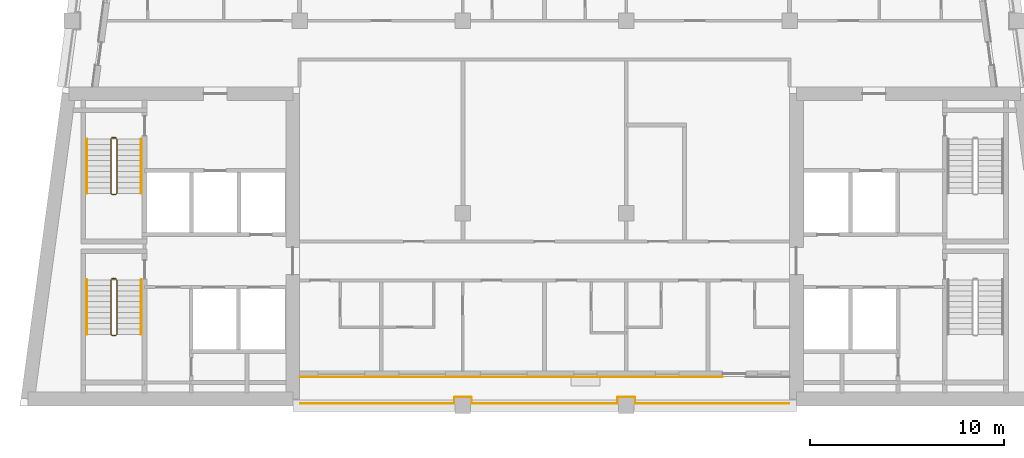
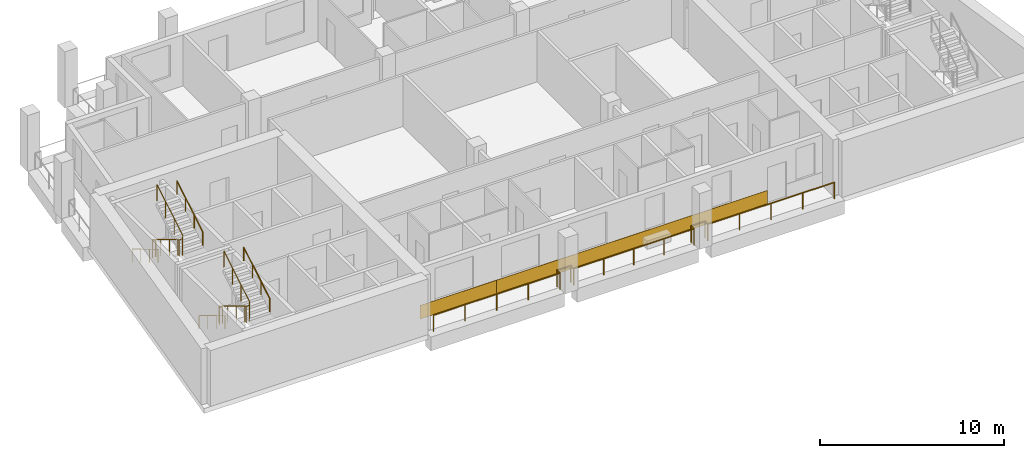
# One storey, part 7 of 10: 9 railings, 2 coverings.
"""IFC4 building model written with IfcOpenShell, lengths in metres."""

from ifc_helpers import new_model, si_unit, direction, frame, origin, origin_2d, place, context, subcontext, project, spatial, rectangle, circle, extrude, material, layer, layer_set, type_object, element, save


model = new_model("IFC4")

# Units and contexts
model_context = context("Model", 3, precision=1e-05, world=origin(), true_north=direction((0.0, 1.0)))
body_context = subcontext(model_context, "Body", "Model", "MODEL_VIEW")
ifc_project = project(units=[si_unit("LENGTHUNIT", "METRE"), si_unit("AREAUNIT", "SQUARE_METRE"), si_unit("VOLUMEUNIT", "CUBIC_METRE"), si_unit("PLANEANGLEUNIT", "RADIAN"), si_unit("MASSUNIT", "GRAM", prefix="KILO")], contexts=[model_context])

# Site, building, storey
site_placement = place(None, origin())
site = spatial("IfcSite", under=ifc_project, at=site_placement, CompositionType="ELEMENT")
building_placement = place(site_placement, origin())
building = spatial("IfcBuilding", under=site, at=building_placement, Name="Candeia Pilgrim Tower and Theatre", CompositionType="ELEMENT")
storey_placement = place(building_placement, frame((0.0, 0.0, 284.89990234375)))
storey = spatial("IfcBuildingStorey", under=building, at=storey_placement, Name="L69", CompositionType="ELEMENT", Elevation=284.89990234375)

# Railing
ifc_material_1 = material(Name="Stainless steel balustrade", Category="steel")
railing_type_1 = type_object("IfcRailingType", Name="G1 loggia guard 1100", PredefinedType="GUARDRAIL", material=ifc_material_1)
railing_1_placement = place(storey_placement, frame((125.949951171875, 116.1201171875, 0.0)))
element("IfcRailing", 1, at=railing_1_placement, inside=storey, type_object=railing_type_1, Name="Guard L69.3", PredefinedType="GUARDRAIL", context=body_context, shape_type="SweptSolid", body=[
    extrude(circle(Radius=0.02392578125, at=origin_2d()), frame((0.0, 0.0, 1.076171875), z_axis=(-1.0, 0.0, 0.0), x_axis=(0.0, -1.0, 0.0)), (0.0, 0.0, 1.0), 7.919921875),
    extrude(circle(Radius=0.02392578125, at=origin_2d()), frame((-7.919921875, 0.0, 1.076171875), z_axis=(0.0, 1.0, 0.0), x_axis=(-1.0, 0.0, 0.0)), (0.0, 0.0, 1.0), 0.309814453125),
    extrude(circle(Radius=0.02392578125, at=origin_2d()), frame((-7.919921875, 0.309814453125, 1.076171875), z_axis=(-1.0, 0.0, 0.0), x_axis=(0.0, -1.0, 0.0)), (0.0, 0.0, 1.0), 0.860107421875),
    extrude(circle(Radius=0.02392578125, at=origin_2d()), frame((-8.780029296875, 0.309814453125, 1.076171875), z_axis=(0.0, -1.0, 0.0), x_axis=(1.0, 0.0, 0.0)), (0.0, 0.0, 1.0), 0.309814453125),
    extrude(circle(Radius=0.02392578125, at=origin_2d()), frame((-8.780029296875, 0.0, 1.076171875), z_axis=(-1.0, 0.0, 0.0), x_axis=(0.0, -1.0, 0.0)), (0.0, 0.0, 1.0), 7.5400390625),
    extrude(circle(Radius=0.02392578125, at=origin_2d()), frame((-16.320068359375, 0.0, 1.076171875), z_axis=(0.0, 1.0, 0.0), x_axis=(-1.0, 0.0, 0.0)), (0.0, 0.0, 1.0), 0.309814453125),
    extrude(circle(Radius=0.02392578125, at=origin_2d()), frame((-16.320068359375, 0.309814453125, 1.076171875), z_axis=(-1.0, 0.0, 0.0), x_axis=(0.0, -1.0, 0.0)), (0.0, 0.0, 1.0), 0.85986328125),
    extrude(circle(Radius=0.02392578125, at=origin_2d()), frame((-17.179931640625, 0.309814453125, 1.076171875), z_axis=(0.0, -1.0, 0.0), x_axis=(1.0, 0.0, 0.0)), (0.0, 0.0, 1.0), 0.309814453125),
    extrude(circle(Radius=0.02392578125, at=origin_2d()), frame((-17.179931640625, 0.0, 1.076171875), z_axis=(-1.0, 0.0, 0.0), x_axis=(0.0, -1.0, 0.0)), (0.0, 0.0, 1.0), 7.919921875),
    extrude(circle(Radius=0.02099609375, at=origin_2d()), origin(), (0.0, 0.0, 1.0), 1.052001953125),
    extrude(circle(Radius=0.02099609375, at=origin_2d()), frame((-1.97998046875, 0.0, 0.0)), (0.0, 0.0, 1.0), 1.052001953125),
    extrude(circle(Radius=0.02099609375, at=origin_2d()), frame((-3.9599609375, 0.0, 0.0)), (0.0, 0.0, 1.0), 1.052001953125),
    extrude(circle(Radius=0.02099609375, at=origin_2d()), frame((-5.93994140625, 0.0, 0.0)), (0.0, 0.0, 1.0), 1.052001953125),
    extrude(circle(Radius=0.02099609375, at=origin_2d()), frame((-7.919921875, 0.0, 0.0)), (0.0, 0.0, 1.0), 1.052001953125),
    extrude(circle(Radius=0.02099609375, at=origin_2d()), frame((-7.919921875, 0.309814453125, 0.0)), (0.0, 0.0, 1.0), 1.052001953125),
    extrude(circle(Radius=0.02099609375, at=origin_2d()), frame((-8.780029296875, 0.309814453125, 0.0)), (0.0, 0.0, 1.0), 1.052001953125),
    extrude(circle(Radius=0.02099609375, at=origin_2d()), frame((-8.780029296875, 0.0, 0.0)), (0.0, 0.0, 1.0), 1.052001953125),
    extrude(circle(Radius=0.02099609375, at=origin_2d()), frame((-10.6650390625, 0.0, 0.0)), (0.0, 0.0, 1.0), 1.052001953125),
    extrude(circle(Radius=0.02099609375, at=origin_2d()), frame((-12.550048828125, 0.0, 0.0)), (0.0, 0.0, 1.0), 1.052001953125),
    extrude(circle(Radius=0.02099609375, at=origin_2d()), frame((-14.43505859375, 0.0, 0.0)), (0.0, 0.0, 1.0), 1.052001953125),
    extrude(circle(Radius=0.02099609375, at=origin_2d()), frame((-16.320068359375, 0.0, 0.0)), (0.0, 0.0, 1.0), 1.052001953125),
    extrude(circle(Radius=0.02099609375, at=origin_2d()), frame((-16.320068359375, 0.309814453125, 0.0)), (0.0, 0.0, 1.0), 1.052001953125),
    extrude(circle(Radius=0.02099609375, at=origin_2d()), frame((-17.179931640625, 0.309814453125, 0.0)), (0.0, 0.0, 1.0), 1.052001953125),
    extrude(circle(Radius=0.02099609375, at=origin_2d()), frame((-17.179931640625, 0.0, 0.0)), (0.0, 0.0, 1.0), 1.052001953125),
    extrude(circle(Radius=0.02099609375, at=origin_2d()), frame((-19.159912109375, 0.0, 0.0)), (0.0, 0.0, 1.0), 1.052001953125),
    extrude(circle(Radius=0.02099609375, at=origin_2d()), frame((-21.139892578125, 0.0, 0.0)), (0.0, 0.0, 1.0), 1.052001953125),
    extrude(circle(Radius=0.02099609375, at=origin_2d()), frame((-23.119873046875, 0.0, 0.0)), (0.0, 0.0, 1.0), 1.052001953125),
    extrude(circle(Radius=0.02099609375, at=origin_2d()), frame((-25.099853515625, 0.0, 0.0)), (0.0, 0.0, 1.0), 1.052001953125),
])

# Coverings
ifc_material_2 = material(Name="Glazed ceramic tile bottle green")
ifc_layer_1 = layer(ifc_material_2, 0.02001953125)
ifc_layer_set_1 = layer_set([ifc_layer_1], Name="Glazed ceramic tile bottle green")
covering_type_1 = type_object("IfcCoveringType", Name="Glazed ceramic tile bottle green", PredefinedType="CLADDING", material=ifc_layer_set_1)
covering_1_placement = place(storey_placement, frame((103.199951171875, 117.489990234375, 0.000244140625), z_axis=(0.0, 0.0, 1.0), x_axis=(1.0, 0.0, 0.0)))
element("IfcCovering", 2, at=covering_1_placement, inside=storey, type_object=covering_type_1, Name="Tile cladding bottle green L69", PredefinedType="CLADDING", context=body_context, shape_type="SweptSolid", body=[
    extrude(rectangle(XDim=4.800048828125, YDim=0.02001953125, at=origin_2d()), origin(), (0.0, 0.0, 1.0), 0.89990234375),
])
ifc_material_3 = material(Name="Glazed ceramic tile rust")
ifc_layer_2 = layer(ifc_material_3, 0.02001953125)
ifc_layer_set_2 = layer_set([ifc_layer_2], Name="Glazed ceramic tile rust")
covering_type_2 = type_object("IfcCoveringType", Name="Glazed ceramic tile rust", PredefinedType="CLADDING", material=ifc_layer_set_2)
covering_2_placement = place(storey_placement, frame((114.074951171875, 117.489990234375, 0.000244140625), z_axis=(0.0, 0.0, 1.0), x_axis=(1.0, 0.0, 0.0)))
element("IfcCovering", 3, at=covering_2_placement, inside=storey, type_object=covering_type_2, Name="Tile cladding rust L69", PredefinedType="CLADDING", context=body_context, shape_type="SweptSolid", body=[
    extrude(rectangle(XDim=16.949951171875, YDim=0.02001953125, at=origin_2d()), origin(), (0.0, 0.0, 1.0), 0.89990234375),
])

# Railings
railing_type_2 = type_object("IfcRailingType", Name="RL-GUARD-1100", PredefinedType="GUARDRAIL", material=ifc_material_1)
railing_2_placement = place(storey_placement, frame((91.10205078125, 122.47509765625, 0.168212890625)))
element("IfcRailing", 4, at=railing_2_placement, inside=storey, type_object=railing_type_2, Name="L69 ST1 stair guard 1", PredefinedType="GUARDRAIL", context=body_context, shape_type="SweptSolid", body=[
    extrude(circle(Radius=0.02392578125, at=origin_2d()), frame((0.0, 0.0, 1.076171875), z_axis=(0.0, -0.857242210791, 0.514913383045), x_axis=(1.0, 0.0, 0.0)), (0.0, 0.0, 1.0), 3.266357421875),
    extrude(circle(Radius=0.02392578125, at=origin_2d()), frame((0.0, -2.800048828125, 2.7578125), z_axis=(0.707106781187, -0.707106781187, 0.0), x_axis=(0.707106781187, 0.707106781187, 0.0)), (0.0, 0.0, 1.0), 0.07080078125),
    extrude(circle(Radius=0.02392578125, at=origin_2d()), frame((0.050048828125, -2.85009765625, 2.7578125), z_axis=(1.0, 0.0, 0.0), x_axis=(0.0, 1.0, 0.0)), (0.0, 0.0, 1.0), 0.199951171875),
    extrude(circle(Radius=0.02392578125, at=origin_2d()), frame((0.25, -2.85009765625, 2.7578125), z_axis=(0.274243871929, 0.274243871929, 0.92172696468), x_axis=(-0.707106781187, 0.707106781187, 0.0)), (0.0, 0.0, 1.0), 0.1826171875),
    extrude(circle(Radius=0.02392578125, at=origin_2d()), frame((0.300048828125, -2.800048828125, 2.92626953125), z_axis=(0.0, 0.857242210791, 0.514913383045), x_axis=(-1.0, 0.0, 0.0)), (0.0, 0.0, 1.0), 3.266357421875),
    extrude(circle(Radius=0.02099609375, at=origin_2d()), origin(), (0.0, 0.0, 1.0), 1.052001953125),
    extrude(circle(Radius=0.02099609375, at=origin_2d()), frame((0.0, -0.933349609375, 0.560546875)), (0.0, 0.0, 1.0), 1.052001953125),
    extrude(circle(Radius=0.02099609375, at=origin_2d()), frame((0.0, -1.86669921875, 1.121337890625)), (0.0, 0.0, 1.0), 1.052001953125),
    extrude(circle(Radius=0.02099609375, at=origin_2d()), frame((0.0, -2.800048828125, 1.681884765625)), (0.0, 0.0, 1.0), 1.052001953125),
    extrude(circle(Radius=0.02099609375, at=origin_2d()), frame((0.050048828125, -2.85009765625, 1.681884765625)), (0.0, 0.0, 1.0), 1.052001953125),
    extrude(circle(Radius=0.02099609375, at=origin_2d()), frame((0.25, -2.85009765625, 1.681884765625)), (0.0, 0.0, 1.0), 1.052001953125),
    extrude(circle(Radius=0.02099609375, at=origin_2d()), frame((0.300048828125, -2.800048828125, 1.85009765625)), (0.0, 0.0, 1.0), 1.052001953125),
    extrude(circle(Radius=0.02099609375, at=origin_2d()), frame((0.300048828125, -1.86669921875, 2.41064453125)), (0.0, 0.0, 1.0), 1.052001953125),
    extrude(circle(Radius=0.02099609375, at=origin_2d()), frame((0.300048828125, -0.933349609375, 2.971435546875)), (0.0, 0.0, 1.0), 1.052001953125),
    extrude(circle(Radius=0.02099609375, at=origin_2d()), frame((0.300048828125, 0.0, 3.531982421875)), (0.0, 0.0, 1.0), 1.052001953125),
])
railing_3_placement = place(storey_placement, frame((91.152099609375, 122.52490234375, 0.0)))
element("IfcRailing", 5, at=railing_3_placement, inside=storey, type_object=railing_type_2, Name="L69 ST1 stair guard 2", PredefinedType="GUARDRAIL", context=body_context, shape_type="SweptSolid", body=[
    extrude(circle(Radius=0.02392578125, at=origin_2d()), frame((0.0, 0.0, 1.076171875), z_axis=(1.0, 0.0, 0.0), x_axis=(0.0, 1.0, 0.0)), (0.0, 0.0, 1.0), 0.199951171875),
    extrude(circle(Radius=0.02099609375, at=origin_2d()), origin(), (0.0, 0.0, 1.0), 1.052001953125),
    extrude(circle(Radius=0.02099609375, at=origin_2d()), frame((0.199951171875, 0.0, 0.0)), (0.0, 0.0, 1.0), 1.052001953125),
])
railing_4_placement = place(storey_placement, frame((91.10205078125, 129.72509765625, 0.168212890625)))
element("IfcRailing", 6, at=railing_4_placement, inside=storey, type_object=railing_type_2, Name="L69 ST2 stair guard 1", PredefinedType="GUARDRAIL", context=body_context, shape_type="SweptSolid", body=[
    extrude(circle(Radius=0.02392578125, at=origin_2d()), frame((0.0, 0.0, 1.076171875), z_axis=(0.0, -0.857242210791, 0.514913383045), x_axis=(1.0, 0.0, 0.0)), (0.0, 0.0, 1.0), 3.266357421875),
    extrude(circle(Radius=0.02392578125, at=origin_2d()), frame((0.0, -2.800048828125, 2.7578125), z_axis=(0.707106781187, -0.707106781187, 0.0), x_axis=(0.707106781187, 0.707106781187, 0.0)), (0.0, 0.0, 1.0), 0.07080078125),
    extrude(circle(Radius=0.02392578125, at=origin_2d()), frame((0.050048828125, -2.85009765625, 2.7578125), z_axis=(1.0, 0.0, 0.0), x_axis=(0.0, 1.0, 0.0)), (0.0, 0.0, 1.0), 0.199951171875),
    extrude(circle(Radius=0.02392578125, at=origin_2d()), frame((0.25, -2.85009765625, 2.7578125), z_axis=(0.274243871929, 0.274243871929, 0.92172696468), x_axis=(-0.707106781187, 0.707106781187, 0.0)), (0.0, 0.0, 1.0), 0.1826171875),
    extrude(circle(Radius=0.02392578125, at=origin_2d()), frame((0.300048828125, -2.800048828125, 2.92626953125), z_axis=(0.0, 0.857242210791, 0.514913383045), x_axis=(-1.0, 0.0, 0.0)), (0.0, 0.0, 1.0), 3.266357421875),
    extrude(circle(Radius=0.02099609375, at=origin_2d()), origin(), (0.0, 0.0, 1.0), 1.052001953125),
    extrude(circle(Radius=0.02099609375, at=origin_2d()), frame((0.0, -0.933349609375, 0.560546875)), (0.0, 0.0, 1.0), 1.052001953125),
    extrude(circle(Radius=0.02099609375, at=origin_2d()), frame((0.0, -1.86669921875, 1.121337890625)), (0.0, 0.0, 1.0), 1.052001953125),
    extrude(circle(Radius=0.02099609375, at=origin_2d()), frame((0.0, -2.800048828125, 1.681884765625)), (0.0, 0.0, 1.0), 1.052001953125),
    extrude(circle(Radius=0.02099609375, at=origin_2d()), frame((0.050048828125, -2.85009765625, 1.681884765625)), (0.0, 0.0, 1.0), 1.052001953125),
    extrude(circle(Radius=0.02099609375, at=origin_2d()), frame((0.25, -2.85009765625, 1.681884765625)), (0.0, 0.0, 1.0), 1.052001953125),
    extrude(circle(Radius=0.02099609375, at=origin_2d()), frame((0.300048828125, -2.800048828125, 1.85009765625)), (0.0, 0.0, 1.0), 1.052001953125),
    extrude(circle(Radius=0.02099609375, at=origin_2d()), frame((0.300048828125, -1.86669921875, 2.41064453125)), (0.0, 0.0, 1.0), 1.052001953125),
    extrude(circle(Radius=0.02099609375, at=origin_2d()), frame((0.300048828125, -0.933349609375, 2.971435546875)), (0.0, 0.0, 1.0), 1.052001953125),
    extrude(circle(Radius=0.02099609375, at=origin_2d()), frame((0.300048828125, 0.0, 3.531982421875)), (0.0, 0.0, 1.0), 1.052001953125),
])
railing_5_placement = place(storey_placement, frame((91.152099609375, 129.77490234375, 0.0)))
element("IfcRailing", 7, at=railing_5_placement, inside=storey, type_object=railing_type_2, Name="L69 ST2 stair guard 2", PredefinedType="GUARDRAIL", context=body_context, shape_type="SweptSolid", body=[
    extrude(circle(Radius=0.02392578125, at=origin_2d()), frame((0.0, 0.0, 1.076171875), z_axis=(1.0, 0.0, 0.0), x_axis=(0.0, 1.0, 0.0)), (0.0, 0.0, 1.0), 0.199951171875),
    extrude(circle(Radius=0.02099609375, at=origin_2d()), origin(), (0.0, 0.0, 1.0), 1.052001953125),
    extrude(circle(Radius=0.02099609375, at=origin_2d()), frame((0.199951171875, 0.0, 0.0)), (0.0, 0.0, 1.0), 1.052001953125),
])
ifc_material_4 = material(Name="Stainless steel handrail", Category="steel")
railing_type_3 = type_object("IfcRailingType", Name="RL-HANDRAIL-900", PredefinedType="HANDRAIL", material=ifc_material_4)
railing_6_placement = place(storey_placement, frame((89.85205078125, 122.47509765625, 0.168212890625)))
element("IfcRailing", 8, at=railing_6_placement, inside=storey, type_object=railing_type_3, Name="L69 ST1 stair handrail 1", PredefinedType="HANDRAIL", context=body_context, shape_type="SweptSolid", body=[
    extrude(circle(Radius=0.02392578125, at=origin_2d()), frame((0.0, 0.0, 0.8759765625), z_axis=(0.0, -0.857242210791, 0.514913383045), x_axis=(1.0, 0.0, 0.0)), (0.0, 0.0, 1.0), 3.266357421875),
    extrude(circle(Radius=0.02099609375, at=origin_2d()), origin(), (0.0, 0.0, 1.0), 0.851806640625),
    extrude(circle(Radius=0.02099609375, at=origin_2d()), frame((0.0, -0.933349609375, 0.560546875)), (0.0, 0.0, 1.0), 0.851806640625),
    extrude(circle(Radius=0.02099609375, at=origin_2d()), frame((0.0, -1.86669921875, 1.121337890625)), (0.0, 0.0, 1.0), 0.851806640625),
    extrude(circle(Radius=0.02099609375, at=origin_2d()), frame((0.0, -2.800048828125, 1.681884765625)), (0.0, 0.0, 1.0), 0.851806640625),
])
railing_7_placement = place(storey_placement, frame((92.652099609375, 119.675048828125, 2.018310546875)))
element("IfcRailing", 9, at=railing_7_placement, inside=storey, type_object=railing_type_3, Name="L69 ST1 stair handrail 2", PredefinedType="HANDRAIL", context=body_context, shape_type="SweptSolid", body=[
    extrude(circle(Radius=0.02392578125, at=origin_2d()), frame((0.0, 0.0, 0.8759765625), z_axis=(0.0, 0.857242210791, 0.514913383045), x_axis=(-1.0, 0.0, 0.0)), (0.0, 0.0, 1.0), 3.266357421875),
    extrude(circle(Radius=0.02099609375, at=origin_2d()), origin(), (0.0, 0.0, 1.0), 0.851806640625),
    extrude(circle(Radius=0.02099609375, at=origin_2d()), frame((0.0, 0.933349609375, 0.560546875)), (0.0, 0.0, 1.0), 0.851806640625),
    extrude(circle(Radius=0.02099609375, at=origin_2d()), frame((0.0, 1.86669921875, 1.121337890625)), (0.0, 0.0, 1.0), 0.851806640625),
    extrude(circle(Radius=0.02099609375, at=origin_2d()), frame((0.0, 2.800048828125, 1.681884765625)), (0.0, 0.0, 1.0), 0.851806640625),
])
railing_8_placement = place(storey_placement, frame((89.85205078125, 129.72509765625, 0.168212890625)))
element("IfcRailing", 10, at=railing_8_placement, inside=storey, type_object=railing_type_3, Name="L69 ST2 stair handrail 1", PredefinedType="HANDRAIL", context=body_context, shape_type="SweptSolid", body=[
    extrude(circle(Radius=0.02392578125, at=origin_2d()), frame((0.0, 0.0, 0.8759765625), z_axis=(0.0, -0.857242210791, 0.514913383045), x_axis=(1.0, 0.0, 0.0)), (0.0, 0.0, 1.0), 3.266357421875),
    extrude(circle(Radius=0.02099609375, at=origin_2d()), origin(), (0.0, 0.0, 1.0), 0.851806640625),
    extrude(circle(Radius=0.02099609375, at=origin_2d()), frame((0.0, -0.933349609375, 0.560546875)), (0.0, 0.0, 1.0), 0.851806640625),
    extrude(circle(Radius=0.02099609375, at=origin_2d()), frame((0.0, -1.86669921875, 1.121337890625)), (0.0, 0.0, 1.0), 0.851806640625),
    extrude(circle(Radius=0.02099609375, at=origin_2d()), frame((0.0, -2.800048828125, 1.681884765625)), (0.0, 0.0, 1.0), 0.851806640625),
])
railing_9_placement = place(storey_placement, frame((92.652099609375, 126.925048828125, 2.018310546875)))
element("IfcRailing", 11, at=railing_9_placement, inside=storey, type_object=railing_type_3, Name="L69 ST2 stair handrail 2", PredefinedType="HANDRAIL", context=body_context, shape_type="SweptSolid", body=[
    extrude(circle(Radius=0.02392578125, at=origin_2d()), frame((0.0, 0.0, 0.8759765625), z_axis=(0.0, 0.857242210791, 0.514913383045), x_axis=(-1.0, 0.0, 0.0)), (0.0, 0.0, 1.0), 3.266357421875),
    extrude(circle(Radius=0.02099609375, at=origin_2d()), origin(), (0.0, 0.0, 1.0), 0.851806640625),
    extrude(circle(Radius=0.02099609375, at=origin_2d()), frame((0.0, 0.933349609375, 0.560546875)), (0.0, 0.0, 1.0), 0.851806640625),
    extrude(circle(Radius=0.02099609375, at=origin_2d()), frame((0.0, 1.86669921875, 1.121337890625)), (0.0, 0.0, 1.0), 0.851806640625),
    extrude(circle(Radius=0.02099609375, at=origin_2d()), frame((0.0, 2.800048828125, 1.681884765625)), (0.0, 0.0, 1.0), 0.851806640625),
])

save(model, "model.ifc")
